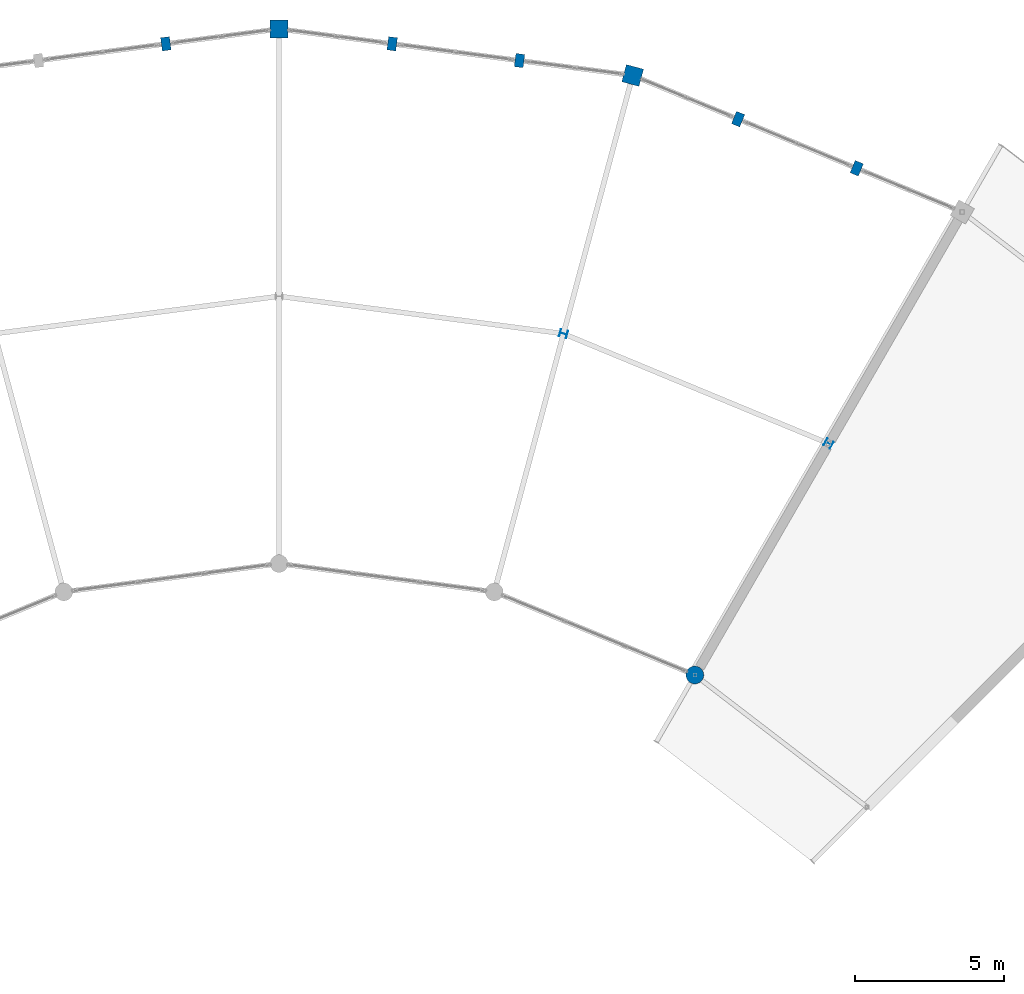
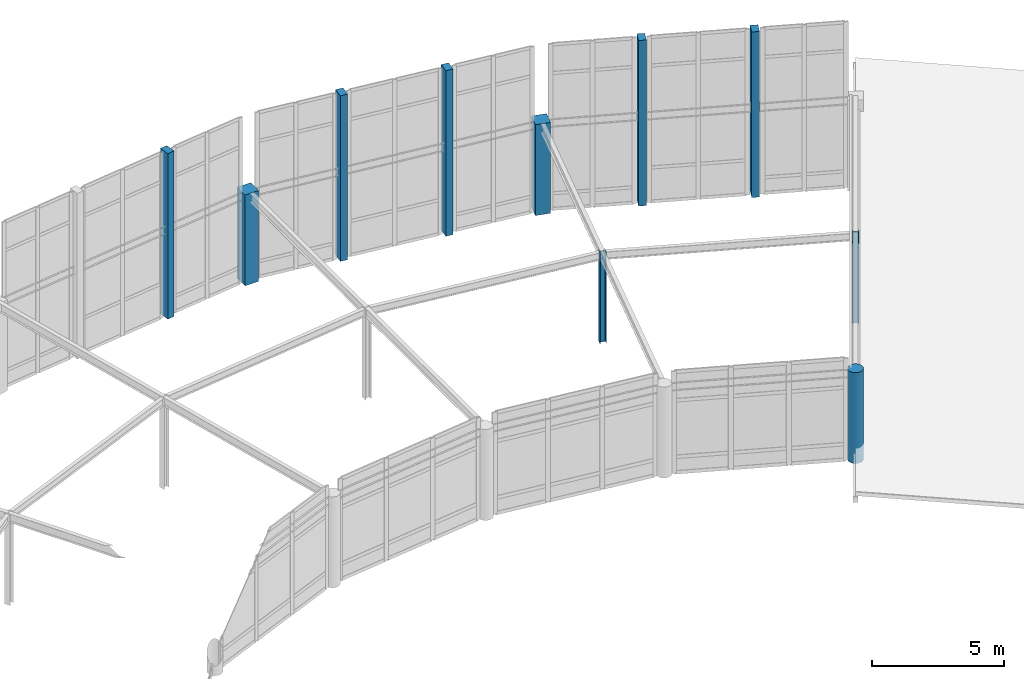
# One storey, part 6 of 93: 10 columns.
"""IFC4 building model written with IfcOpenShell, lengths in metres."""

from ifc_helpers import new_model, si_unit, direction, frame, origin, origin_2d, place, context, subcontext, project, spatial, rectangle, circle, i_section, extrude, material, material_profile, profile_set, type_object, element, save


model = new_model("IFC4")

# Units and contexts
model_context = context("Model", 3, precision=1e-05, world=origin(), true_north=direction((0.0, 1.0)))
body_context = subcontext(model_context, "Body", "Model", "MODEL_VIEW")
ifc_project = project(units=[si_unit("LENGTHUNIT", "METRE"), si_unit("AREAUNIT", "SQUARE_METRE"), si_unit("VOLUMEUNIT", "CUBIC_METRE"), si_unit("PLANEANGLEUNIT", "RADIAN"), si_unit("MASSUNIT", "GRAM", prefix="KILO")], contexts=[model_context])

# Site, building, storey
site_placement = place(None, origin())
site = spatial("IfcSite", under=ifc_project, at=site_placement, CompositionType="ELEMENT")
building_placement = place(site_placement, origin())
building = spatial("IfcBuilding", under=site, at=building_placement, Name="Vondelvale Polytechnic", CompositionType="ELEMENT")
storey_placement = place(building_placement, frame((0.0, 0.0, 18.0)))
storey = spatial("IfcBuildingStorey", under=building, at=storey_placement, Name="L04", CompositionType="ELEMENT", Elevation=18.0)

# Columns
ifc_material_1 = material(Name="Glulam GL18 structural Tasmanian oak (fb = 42 MPa)", Category="wood")
ifc_material_profile_1 = material_profile(ifc_material_1, rectangle(XDim=0.300048828125, YDim=0.449951171875, at=origin_2d()), Name="GL-POST-300x450")
ifc_profile_set_1 = profile_set([ifc_material_profile_1], Name="Glulam GL18 structural Tasmanian oak (fb = 42 MPa)")
column_type_1 = type_object("IfcColumnType", Name="COL-GLULAM-300x450", PredefinedType="PILASTER", material=ifc_profile_set_1)
for number, where, z_axis, x_axis, name in (
    (1, (121.44970703125, 113.3076171875, 0.0), (0.0, 0.0, 1.0), (-0.923879532511, 0.382683432365, 0.0), "L04 ring outer glulam timber post C04-P1"),
    (2, (117.455810546875, 114.962158203125, 0.0), (0.0, 0.0, 1.0), (-0.923879532511, 0.382683432365, 0.0), "L04 ring outer glulam timber post C04-P2"),
    (3, (110.095947265625, 116.93408203125, 0.0), (0.0, 0.0, 1.0), (-0.991444861374, 0.13052619222, 0.0), "L04 ring outer glulam timber post C05-P1"),
    (4, (105.809814453125, 117.498291015625, 0.0), (0.0, 0.0, 1.0), (-0.991444861374, 0.13052619222, 0.0), "L04 ring outer glulam timber post C05-P2"),
    (5, (98.190185546875, 117.498291015625, 0.0), (0.0, 0.0, 1.0), (0.991444861374, 0.13052619222, 0.0), "L04 ring outer glulam timber post C06-P1"),
):
    element("IfcColumn", number, at=place(storey_placement, frame(where, z_axis=z_axis, x_axis=x_axis)), inside=storey, type_object=column_type_1, Name=name, PredefinedType="PILASTER", context=body_context, shape_type="SweptSolid", body=[
        extrude(rectangle(XDim=0.300048828125, YDim=0.449951171875, at=origin_2d()), origin(), (0.0, 0.0, 1.0), 7.6513671875),
    ])
ifc_material_2 = material(Name="Concrete N50 (f'c = 50 MPa)", Category="concrete")
ifc_material_profile_2 = material_profile(ifc_material_2, rectangle(XDim=0.60009765625, YDim=0.60009765625, at=origin_2d()), Name="RC-COL-600x600")
ifc_profile_set_2 = profile_set([ifc_material_profile_2], Name="Concrete N50 (f'c = 50 MPa)")
column_type_2 = type_object("IfcColumnType", Name="COL-RC600", PredefinedType="COLUMN", material=ifc_profile_set_2)
for number, where, z_axis, x_axis, name in (
    (6, (113.90576171875, 116.4326171875, 0.0), (0.0, 0.0, 1.0), (0.258819045103, 0.965925826289, 0.0), "L04 courtyard ring column S05-RO"),
    (7, (102.0, 118.0, 0.0), (0.0, 0.0, 1.0), (0.0, 1.0, 0.0), "L04 courtyard ring column S06-RO"),
):
    element("IfcColumn", number, at=place(storey_placement, frame(where, z_axis=z_axis, x_axis=x_axis)), inside=storey, type_object=column_type_2, Name=name, PredefinedType="COLUMN", context=body_context, shape_type="SweptSolid", body=[
        extrude(rectangle(XDim=0.60009765625, YDim=0.60009765625, at=origin_2d()), origin(), (0.0, 0.0, 1.0), 4.199951171875),
    ])
ifc_material_profile_3 = material_profile(ifc_material_2, circle(Radius=0.300048828125, at=origin_2d()), Name="RC-COL-D600")
ifc_profile_set_3 = profile_set([ifc_material_profile_3], Name="Concrete N50 (f'c = 50 MPa)")
column_type_3 = type_object("IfcColumnType", Name="COL-RCD600", PredefinedType="COLUMN", material=ifc_profile_set_3)
column_placement = place(storey_placement, frame((116.0, 96.248779296875, 0.0), z_axis=(0.0, 0.0, 1.0), x_axis=(0.5, 0.866025403784, 0.0)))
element("IfcColumn", 8, at=column_placement, inside=storey, type_object=column_type_3, Name="L04 courtyard ring column S04-RI", PredefinedType="COLUMN", context=body_context, shape_type="SweptSolid", body=[
    extrude(circle(Radius=0.300048828125, at=origin_2d()), origin(), (0.0, 0.0, 1.0), 4.199951171875),
])
ifc_material_3 = material(Name="Steel 300PLUS (fy = 300 MPa)", Category="steel")
ifc_material_profile_4 = material_profile(ifc_material_3, i_section(OverallWidth=0.25390625, OverallDepth=0.25390625, WebThickness=0.008544921875, FlangeThickness=0.01416015625, FilletRadius=0.013916015625, at=origin_2d()), Name="250UC72.9")
ifc_profile_set_4 = profile_set([ifc_material_profile_4], Name="Steel 300PLUS (fy = 300 MPa)")
column_type_4 = type_object("IfcColumnType", Name="COL-UC250L", PredefinedType="COLUMN", material=ifc_profile_set_4)
for number, where, z_axis, x_axis, name in (
    (9, (120.5, 104.04296875, 0.0), (0.0, 0.0, 1.0), (0.5, 0.866025403784, 0.0), "L04 courtyard ring column S04-RM"),
    (10, (111.576416015625, 107.7392578125, 0.0), (0.0, 0.0, 1.0), (0.258819045103, 0.965925826289, 0.0), "L04 courtyard ring column S05-RM"),
):
    element("IfcColumn", number, at=place(storey_placement, frame(where, z_axis=z_axis, x_axis=x_axis)), inside=storey, type_object=column_type_4, Name=name, PredefinedType="COLUMN", context=body_context, shape_type="SweptSolid", body=[
        extrude(i_section(OverallWidth=0.25390625, OverallDepth=0.25390625, WebThickness=0.008544921875, FlangeThickness=0.01416015625, FilletRadius=0.013916015625, at=origin_2d()), origin(), (0.0, 0.0, 1.0), 4.199951171875),
    ])

save(model, "model.ifc")
